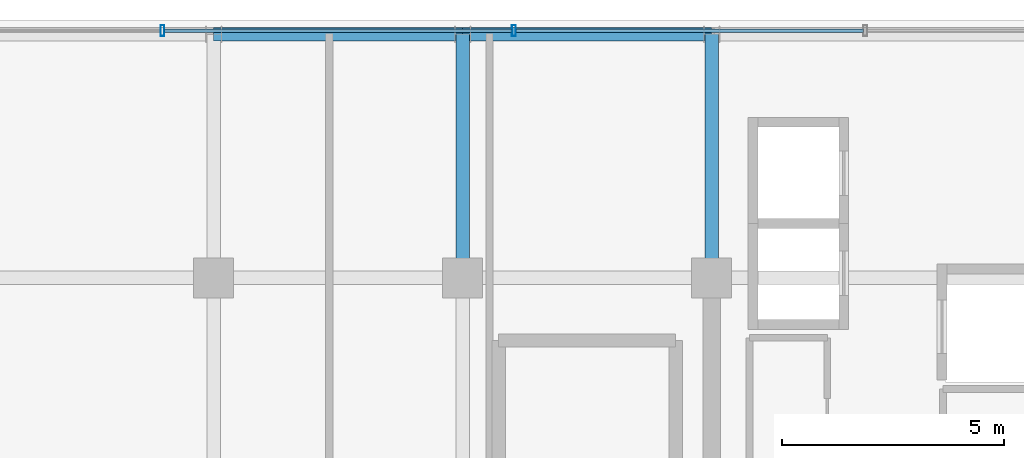
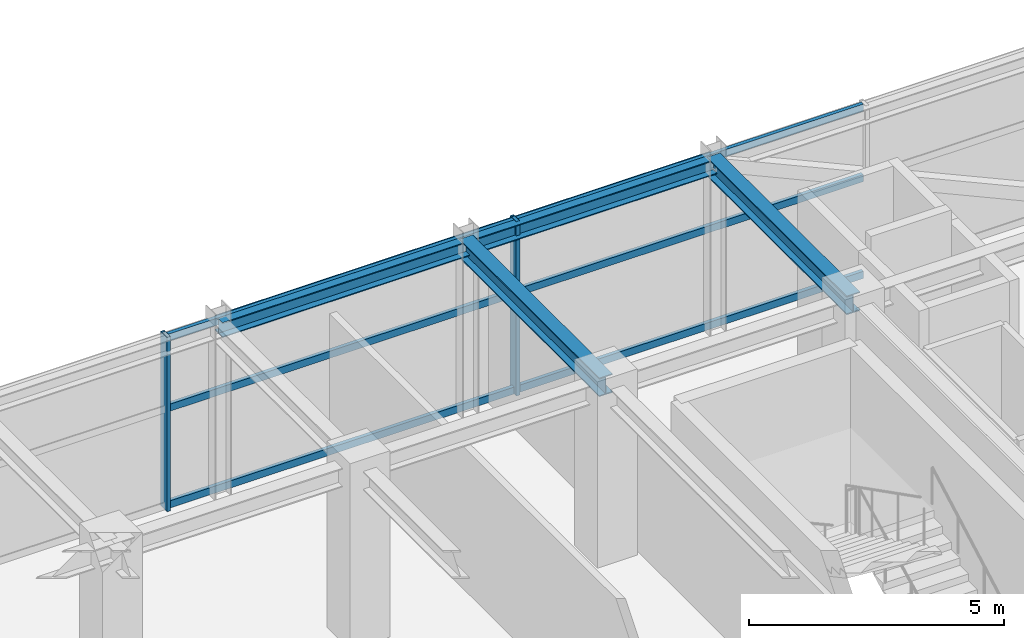
# One storey, part 14 of 26: 8 members, 4 beams, 1 element without a shape of its own.
"""IFC4 building model written with IfcOpenShell, lengths in metres."""

from ifc_helpers import new_model, si_unit, direction, frame, origin, origin_2d, place, context, subcontext, project, spatial, hollow_rectangle, i_section, extrude, source, transform, mapped, material, material_profile, profile_set, type_object, element, aggregate, save


model = new_model("IFC4")

# Units and contexts
model_context = context("Model", 3, precision=1e-05, world=origin(), true_north=direction((0.0, 1.0)))
body_context = subcontext(model_context, "Body", "Model", "MODEL_VIEW")
ifc_project = project(units=[si_unit("LENGTHUNIT", "METRE"), si_unit("AREAUNIT", "SQUARE_METRE"), si_unit("VOLUMEUNIT", "CUBIC_METRE"), si_unit("PLANEANGLEUNIT", "RADIAN"), si_unit("MASSUNIT", "GRAM", prefix="KILO")], contexts=[model_context])

# Site, building, storey
site_placement = place(None, origin())
site = spatial("IfcSite", under=ifc_project, at=site_placement, CompositionType="ELEMENT")
building_placement = place(site_placement, origin())
building = spatial("IfcBuilding", under=site, at=building_placement, Name="Nahalor Promenade Grand Hotel", CompositionType="ELEMENT")
storey_placement = place(building_placement, frame((0.0, 0.0, 343.050048828125)))
storey = spatial("IfcBuildingStorey", under=building, at=storey_placement, Name="L88", CompositionType="ELEMENT", Elevation=343.050048828125)

# Beams
ifc_material_1 = material(Name="Steel S355JR", Category="steel")
ifc_material_profile_1 = material_profile(ifc_material_1, i_section(OverallWidth=0.3, OverallDepth=0.45, WebThickness=0.014, FlangeThickness=0.026, at=origin_2d()), Name="HEB 450")
ifc_profile_set_1 = profile_set([ifc_material_profile_1], Name="Steel S355JR")
beam_type_1 = type_object("IfcBeamType", Name="Beam-Girder-HEB450", PredefinedType="BEAM", material=ifc_profile_set_1)
shared_shape_1 = source(origin(), body_context, "Body", "SweptSolid", [
    extrude(i_section(OverallWidth=0.3, OverallDepth=0.45, WebThickness=0.014, FlangeThickness=0.026, at=origin_2d()), origin(), (0.0, 0.0, 1.0), 5.47998046875),
])
for number, where, z_axis, x_axis, name in (
    (1, (2.800048828125, 17.0, 3.945068359375), (0.0, 1.0, 0.0), (-1.0, 0.0, 0.0), "BM-L88-GY-3-4"),
    (2, (8.39990234375, 17.0, 3.945068359375), (0.0, 1.0, 0.0), (-1.0, 0.0, 0.0), "BM-L88-GY-4-4"),
):
    element("IfcBeam", number, at=place(storey_placement, frame(where, z_axis=z_axis, x_axis=x_axis)), inside=storey, type_object=beam_type_1, Name=name, PredefinedType="BEAM", context=body_context, shape_type="MappedRepresentation", body=[
        mapped(shared_shape_1, transform((0.0, 0.0, 0.0), scale=1.0)),
    ])
ifc_material_profile_2 = material_profile(ifc_material_1, i_section(OverallWidth=0.3, OverallDepth=0.36, WebThickness=0.0125, FlangeThickness=0.0225, at=origin_2d()), Name="HEB 360")
ifc_profile_set_2 = profile_set([ifc_material_profile_2], Name="Steel S355JR")
beam_type_2 = type_object("IfcBeamType", Name="Beam-Spandrel-HEB360", PredefinedType="SPANDREL", material=ifc_profile_set_2)
shared_shape_2 = source(origin(), body_context, "Body", "SweptSolid", [
    extrude(i_section(OverallWidth=0.3, OverallDepth=0.36, WebThickness=0.0125, FlangeThickness=0.0225, at=origin_2d()), origin(), (0.0, 0.0, 1.0), 5.599853515625),
])
beam_1_placement = place(storey_placement, frame((2.800048828125, 22.47998046875, 3.989990234375), z_axis=(1.0, 0.0, 0.0), x_axis=(0.0, 1.0, 0.0)))
element("IfcBeam", 3, at=beam_1_placement, inside=storey, type_object=beam_type_2, Name="BM-L88-SP-N-3", PredefinedType="SPANDREL", context=body_context, shape_type="MappedRepresentation", body=[
    mapped(shared_shape_2, transform((0.0, 0.0, 0.0), scale=1.0)),
])
shared_shape_3 = source(origin(), body_context, "Body", "SweptSolid", [
    extrude(i_section(OverallWidth=0.3, OverallDepth=0.36, WebThickness=0.0125, FlangeThickness=0.0225, at=origin_2d()), origin(), (0.0, 0.0, 1.0), 5.60009765625),
])
beam_2_placement = place(storey_placement, frame((-2.800048828125, 22.47998046875, 3.989990234375), z_axis=(1.0, 0.0, 0.0), x_axis=(0.0, 1.0, 0.0)))
element("IfcBeam", 4, at=beam_2_placement, inside=storey, type_object=beam_type_2, Name="BM-L88-SP-N-2", PredefinedType="SPANDREL", context=body_context, shape_type="MappedRepresentation", body=[
    mapped(shared_shape_3, transform((0.0, 0.0, 0.0), scale=1.0)),
])

# Curtain wall, members
ifc_material_2 = material(Name="Anodised Bronze Aluminium EN AW-6063 T6", Category="aluminium")
curtain_wall_type = type_object("IfcCurtainWallType", Name="CW5 Sky-Lobby & Observation Panoramic Curtain Wall", PredefinedType="USERDEFINED", material=ifc_material_2)
curtain_wall_placement = place(storey_placement, origin())
curtain_wall = element("IfcCurtainWall", 5, at=curtain_wall_placement, inside=storey, type_object=curtain_wall_type, Name="L88 Curtain Wall CW-L88-N-1", ObjectType="UNITISED_CURTAIN_WALL", PredefinedType="USERDEFINED")
ifc_material_profile_3 = material_profile(ifc_material_2, hollow_rectangle(XDim=0.085, YDim=0.25, WallThickness=0.006, at=origin_2d()), Name="CWM 85x250x6")
ifc_profile_set_3 = profile_set([ifc_material_profile_3], Name="Anodised Bronze Aluminium EN AW-6063 T6")
member_type_1 = type_object("IfcMemberType", Name="CWM5 Panoramic Deep Mullion 85x250", PredefinedType="MULLION", material=ifc_profile_set_3)
shared_shape_4 = source(origin(), body_context, "Body", "SweptSolid", [
    extrude(hollow_rectangle(XDim=0.085, YDim=0.25, WallThickness=0.006, at=origin_2d()), origin(), (0.0, 0.0, 1.0), 4.169921875),
])
member_1_placement = place(storey_placement, frame((-3.951904296875, 22.56005859375, 0.0), z_axis=(0.0, 0.0, 1.0), x_axis=(1.0, 0.0, 0.0)))
member_1 = element("IfcMember", 6, at=member_1_placement, type_object=member_type_1, Name="CW-L88-N-1 Mullion 2", PredefinedType="MULLION", context=body_context, shape_type="MappedRepresentation", body=[
    mapped(shared_shape_4, transform((0.0, 0.0, 0.0), scale=1.0)),
])
member_2_placement = place(storey_placement, frame((3.951904296875, 22.56005859375, 0.0), z_axis=(0.0, 0.0, 1.0), x_axis=(1.0, 0.0, 0.0)))
member_2 = element("IfcMember", 7, at=member_2_placement, type_object=member_type_1, Name="CW-L88-N-1 Mullion 3", PredefinedType="MULLION", context=body_context, shape_type="MappedRepresentation", body=[
    mapped(shared_shape_4, transform((0.0, 0.0, 0.0), scale=1.0)),
])
ifc_material_profile_4 = material_profile(ifc_material_2, hollow_rectangle(XDim=0.085, YDim=0.17, WallThickness=0.005, at=origin_2d()), Name="CWT 85x170x5")
ifc_profile_set_4 = profile_set([ifc_material_profile_4], Name="Anodised Bronze Aluminium EN AW-6063 T6")
member_type_2 = type_object("IfcMemberType", Name="CWT5 Panoramic Transom 85x170", PredefinedType="USERDEFINED", material=ifc_profile_set_4)
shared_shape_5 = source(origin(), body_context, "Body", "SweptSolid", [
    extrude(hollow_rectangle(XDim=0.085, YDim=0.17, WallThickness=0.005, at=origin_2d()), origin(), (0.0, 0.0, 1.0), 7.819091796875),
])
member_3_placement = place(storey_placement, frame((3.994384765625, 22.56005859375, 0.0849609375), z_axis=(1.0, 0.0, 0.0), x_axis=(0.0, 1.0, 0.0)))
member_3 = element("IfcMember", 8, at=member_3_placement, type_object=member_type_2, Name="CW-L88-N-1 Transom 3-0", ObjectType="TRANSOM", PredefinedType="USERDEFINED", context=body_context, shape_type="MappedRepresentation", body=[
    mapped(shared_shape_5, transform((0.0, 0.0, 0.0), scale=1.0)),
])
member_4_placement = place(storey_placement, frame((3.994384765625, 22.56005859375, 2.39990234375), z_axis=(1.0, 0.0, 0.0), x_axis=(0.0, 1.0, 0.0)))
member_4 = element("IfcMember", 9, at=member_4_placement, type_object=member_type_2, Name="CW-L88-N-1 Transom 3-1", ObjectType="TRANSOM", PredefinedType="USERDEFINED", context=body_context, shape_type="MappedRepresentation", body=[
    mapped(shared_shape_5, transform((0.0, 0.0, 0.0), scale=1.0)),
])
member_5_placement = place(storey_placement, frame((3.994384765625, 22.56005859375, 4.0849609375), z_axis=(1.0, 0.0, 0.0), x_axis=(0.0, 1.0, 0.0)))
member_5 = element("IfcMember", 10, at=member_5_placement, type_object=member_type_2, Name="CW-L88-N-1 Transom 3-2", ObjectType="TRANSOM", PredefinedType="USERDEFINED", context=body_context, shape_type="MappedRepresentation", body=[
    mapped(shared_shape_5, transform((0.0, 0.0, 0.0), scale=1.0)),
])
shared_shape_6 = source(origin(), body_context, "Body", "SweptSolid", [
    extrude(hollow_rectangle(XDim=0.085, YDim=0.17, WallThickness=0.005, at=origin_2d()), origin(), (0.0, 0.0, 1.0), 7.81884765625),
])
member_6_placement = place(storey_placement, frame((-3.909423828125, 22.56005859375, 0.0849609375), z_axis=(1.0, 0.0, 0.0), x_axis=(0.0, 1.0, 0.0)))
member_6 = element("IfcMember", 11, at=member_6_placement, type_object=member_type_2, Name="CW-L88-N-1 Transom 2-0", ObjectType="TRANSOM", PredefinedType="USERDEFINED", context=body_context, shape_type="MappedRepresentation", body=[
    mapped(shared_shape_6, transform((0.0, 0.0, 0.0), scale=1.0)),
])
member_7_placement = place(storey_placement, frame((-3.909423828125, 22.56005859375, 2.39990234375), z_axis=(1.0, 0.0, 0.0), x_axis=(0.0, 1.0, 0.0)))
member_7 = element("IfcMember", 12, at=member_7_placement, type_object=member_type_2, Name="CW-L88-N-1 Transom 2-1", ObjectType="TRANSOM", PredefinedType="USERDEFINED", context=body_context, shape_type="MappedRepresentation", body=[
    mapped(shared_shape_6, transform((0.0, 0.0, 0.0), scale=1.0)),
])
member_8_placement = place(storey_placement, frame((-3.909423828125, 22.56005859375, 4.0849609375), z_axis=(1.0, 0.0, 0.0), x_axis=(0.0, 1.0, 0.0)))
member_8 = element("IfcMember", 13, at=member_8_placement, type_object=member_type_2, Name="CW-L88-N-1 Transom 2-2", ObjectType="TRANSOM", PredefinedType="USERDEFINED", context=body_context, shape_type="MappedRepresentation", body=[
    mapped(shared_shape_6, transform((0.0, 0.0, 0.0), scale=1.0)),
])
aggregate(curtain_wall, [member_1, member_2, member_6, member_7, member_8, member_3, member_4, member_5])

save(model, "model.ifc")
